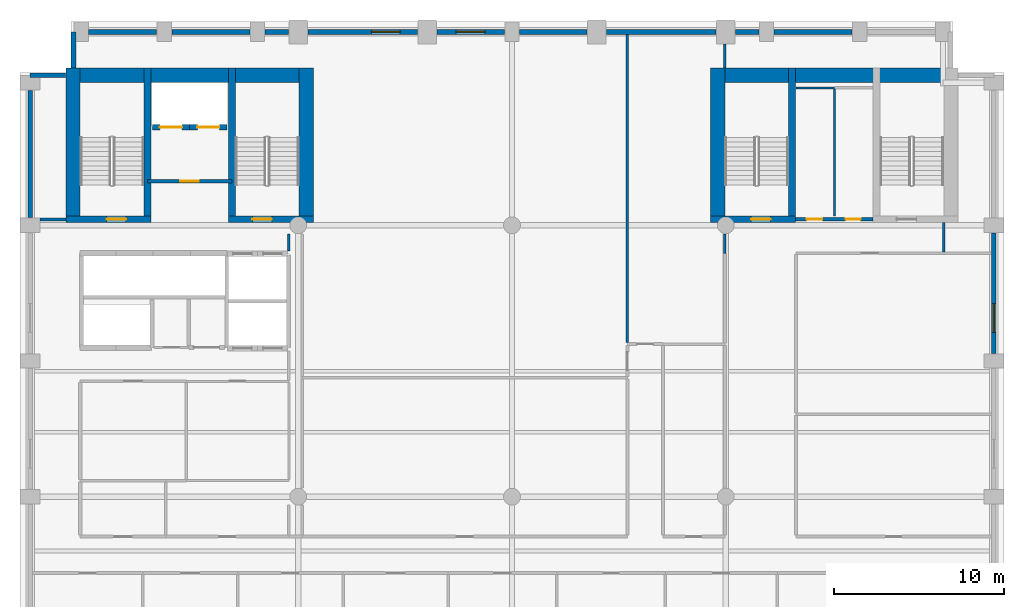
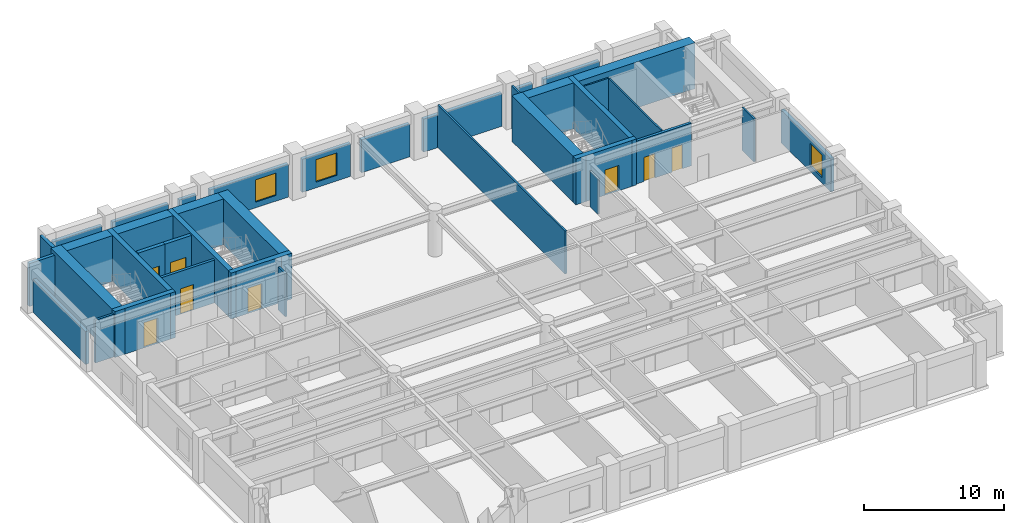
# One storey, part 5 of 8: 36 walls, 8 doors, 3 windows, 11 openings.
"""IFC4 building model written with IfcOpenShell, lengths in metres."""

from ifc_helpers import new_model, si_unit, direction, frame, frame_2d, origin, place, context, subcontext, project, spatial, rectangle, extrude, material, layer, layer_set, type_object, element, fill, save


model = new_model("IFC4")

# Units and contexts
model_context = context("Model", 3, precision=1e-05, world=origin(), true_north=direction((0.0, 1.0)))
body_context = subcontext(model_context, "Body", "Model", "MODEL_VIEW")
ifc_project = project(units=[si_unit("LENGTHUNIT", "METRE"), si_unit("AREAUNIT", "SQUARE_METRE"), si_unit("VOLUMEUNIT", "CUBIC_METRE"), si_unit("PLANEANGLEUNIT", "RADIAN"), si_unit("MASSUNIT", "GRAM", prefix="KILO")], contexts=[model_context])

# Site, building, storey
site_placement = place(None, origin())
site = spatial("IfcSite", under=ifc_project, at=site_placement, CompositionType="ELEMENT")
building_placement = place(site_placement, origin())
building = spatial("IfcBuilding", under=site, at=building_placement, Name="Sulina Concourse Tower", CompositionType="ELEMENT")
storey_placement = place(building_placement, frame((0.0, 0.0, 152.60009765625)))
storey = spatial("IfcBuildingStorey", under=building, at=storey_placement, Name="L37", CompositionType="ELEMENT", Elevation=152.60009765625)

# Wall, opening, door
ifc_material_1 = material(Name="Concrete C50/60", Category="concrete")
ifc_layer_1 = layer(ifc_material_1, 0.300048828125)
ifc_layer_set_1 = layer_set([ifc_layer_1], Name="Concrete C50/60")
wall_type_1 = type_object("IfcWallType", Name="Core Lift Hoistway Wall 300mm", PredefinedType="SOLIDWALL", material=ifc_layer_set_1)
wall_1_placement = place(storey_placement, frame((10.0, 39.780029296875, 0.0), z_axis=(0.0, 0.0, 1.0), x_axis=(-1.0, 0.0, 0.0)))
wall_1 = element("IfcWall", 1, at=wall_1_placement, inside=storey, type_object=wall_type_1, Name="L37 hoistway enclosure wall FFL-1", PredefinedType="SOLIDWALL", context=body_context, shape_type="SweptSolid", body=[
    extrude(rectangle(XDim=2.199951171875, YDim=0.300048828125, at=frame_2d((1.10009765625, 0.0))), origin(), (0.0, 0.0, 1.0), 4.0),
])
opening_1_placement = place(wall_1_placement, frame((0.449951171875, 0.0, 0.0)))
opening_1 = element("IfcOpeningElement", 2, at=opening_1_placement, cuts=wall_1, Name="Opening LD-02", PredefinedType="OPENING", context=body_context, shape_type="SweptSolid", body=[
    extrude(rectangle(XDim=1.300048828125, YDim=2.25, at=frame_2d((0.64990234375, 1.125))), frame((0.0, 0.159912109375, 0.0), z_axis=(0.0, -1.0, 0.0), x_axis=(1.0, 0.0, 0.0)), (0.0, 0.0, 1.0), 0.320068359375),
])
ifc_material_2 = material(Name="Stainless steel lift landing door", Category="steel")
ifc_layer_2 = layer(ifc_material_2, 0.050048828125)
ifc_layer_set_2 = layer_set([ifc_layer_2], Name="Stainless steel lift landing door")
door_type_1 = type_object("IfcDoorType", Name="Firefighting Lift Sliding Landing Door 1300x2250", OperationType="SLIDING_TO_RIGHT", PredefinedType="DOOR", material=ifc_layer_set_2)
door_1_placement = place(opening_1_placement, origin())
door_1 = element("IfcDoor", 3, at=door_1_placement, inside=storey, type_object=door_type_1, Name="L37 lift landing sliding door FFL-1", OperationType="SLIDING_TO_LEFT", OverallHeight=2.25, OverallWidth=1.300048828125, PredefinedType="DOOR", context=body_context, shape_type="SweptSolid", body=[
    extrude(rectangle(XDim=1.300048828125, YDim=2.25, at=frame_2d((0.64990234375, 1.125))), frame((0.0, 0.02490234375, 0.0), z_axis=(0.0, -1.0, 0.0), x_axis=(1.0, 0.0, 0.0)), (0.0, 0.0, 1.0), 0.050048828125),
])
fill(opening_1, door_1)

wall_2_placement = place(storey_placement, frame((12.199951171875, 39.780029296875, 0.0), z_axis=(0.0, 0.0, 1.0), x_axis=(-1.0, 0.0, 0.0)))
wall_2 = element("IfcWall", 4, at=wall_2_placement, inside=storey, type_object=wall_type_1, Name="L37 hoistway enclosure wall FFL-2", PredefinedType="SOLIDWALL", context=body_context, shape_type="SweptSolid", body=[
    extrude(rectangle(XDim=2.199951171875, YDim=0.300048828125, at=frame_2d((1.10009765625, 0.0))), origin(), (0.0, 0.0, 1.0), 4.0),
])
opening_2_placement = place(wall_2_placement, frame((0.449951171875, 0.0, 0.0)))
opening_2 = element("IfcOpeningElement", 5, at=opening_2_placement, cuts=wall_2, Name="Opening LD-02", PredefinedType="OPENING", context=body_context, shape_type="SweptSolid", body=[
    extrude(rectangle(XDim=1.300048828125, YDim=2.25, at=frame_2d((0.64990234375, 1.125))), frame((0.0, 0.159912109375, 0.0), z_axis=(0.0, -1.0, 0.0), x_axis=(1.0, 0.0, 0.0)), (0.0, 0.0, 1.0), 0.320068359375),
])
door_2_placement = place(opening_2_placement, origin())
door_2 = element("IfcDoor", 6, at=door_2_placement, inside=storey, type_object=door_type_1, Name="L37 lift landing sliding door FFL-2", OperationType="SLIDING_TO_RIGHT", OverallHeight=2.25, OverallWidth=1.300048828125, PredefinedType="DOOR", context=body_context, shape_type="SweptSolid", body=[
    extrude(rectangle(XDim=1.300048828125, YDim=2.25, at=frame_2d((0.64990234375, 1.125))), frame((0.0, 0.02490234375, 0.0), z_axis=(0.0, -1.0, 0.0), x_axis=(1.0, 0.0, 0.0)), (0.0, 0.0, 1.0), 0.050048828125),
])
fill(opening_2, door_2)

ifc_material_3 = material(Name="Gypsum board on steel stud", Category="steel")
ifc_layer_3 = layer(ifc_material_3, 0.219970703125)
ifc_layer_set_3 = layer_set([ifc_layer_3], Name="Gypsum board on steel stud")
wall_type_2 = type_object("IfcWallType", Name="Fire-Rated Lobby & Compartment Wall 220mm", PredefinedType="PARTITIONING", material=ifc_layer_set_3)
wall_3_placement = place(storey_placement, frame((7.510009765625, 36.60009765625, 0.0), z_axis=(0.0, 0.0, 1.0), x_axis=(1.0, 0.0, 0.0)))
wall_3 = element("IfcWall", 7, at=wall_3_placement, inside=storey, type_object=wall_type_2, Name="L37 firefighting lobby south fire wall", PredefinedType="PARTITIONING", context=body_context, shape_type="SweptSolid", body=[
    extrude(rectangle(XDim=4.97998046875, YDim=0.219970703125, at=frame_2d((2.489990234375, 0.0))), origin(), (0.0, 0.0, 1.0), 3.724853515625),
])
opening_3_placement = place(wall_3_placement, frame((1.93994140625, 0.0, 0.0)))
opening_3 = element("IfcOpeningElement", 8, at=opening_3_placement, cuts=wall_3, Name="Opening DR-47", PredefinedType="OPENING", context=body_context, shape_type="SweptSolid", body=[
    extrude(rectangle(XDim=1.10009765625, YDim=2.199951171875, at=frame_2d((0.550048828125, 1.10009765625))), frame((0.0, 0.119873046875, 0.0), z_axis=(0.0, -1.0, 0.0), x_axis=(1.0, 0.0, 0.0)), (0.0, 0.0, 1.0), 0.239990234375),
])
ifc_material_4 = material(Name="Galvanised steel acoustic fire leaf", Category="steel")
ifc_layer_4 = layer(ifc_material_4, 0.054931640625)
ifc_layer_set_4 = layer_set([ifc_layer_4], Name="Galvanised steel acoustic fire leaf")
door_type_2 = type_object("IfcDoorType", Name="Firefighting Lobby Fire Door 1100x2200", OperationType="NOTDEFINED", PredefinedType="DOOR", material=ifc_layer_set_4)
door_3_placement = place(opening_3_placement, origin())
door_3 = element("IfcDoor", 9, at=door_3_placement, inside=storey, type_object=door_type_2, Name="L37 firefighting lobby fire door", OperationType="SINGLE_SWING_RIGHT", OverallHeight=2.199951171875, OverallWidth=1.10009765625, PredefinedType="DOOR", context=body_context, shape_type="SweptSolid", body=[
    extrude(rectangle(XDim=1.10009765625, YDim=2.199951171875, at=frame_2d((0.550048828125, 1.10009765625))), frame((0.0, 0.02490234375, 0.0), z_axis=(0.0, -1.0, 0.0), x_axis=(1.0, 0.0, 0.0)), (0.0, 0.0, 1.0), 0.050048828125),
])
fill(opening_3, door_3)

# Wall, openings, doors
wall_4_placement = place(storey_placement, frame((45.719970703125, 34.35009765625, 0.0), z_axis=(0.0, 0.0, 1.0), x_axis=(1.0, 0.0, 0.0)))
wall_4 = element("IfcWall", 10, at=wall_4_placement, inside=storey, type_object=wall_type_2, Name="L37 east core south lobby wall", PredefinedType="PARTITIONING", context=body_context, shape_type="SweptSolid", body=[
    extrude(rectangle(XDim=4.56005859375, YDim=0.219970703125, at=frame_2d((2.280029296875, 0.0))), origin(), (0.0, 0.0, 1.0), 3.724853515625),
])
opening_4_placement = place(wall_4_placement, frame((0.64990234375, 0.0, 0.0)))
opening_4 = element("IfcOpeningElement", 11, at=opening_4_placement, cuts=wall_4, Name="Opening DR-61", PredefinedType="OPENING", context=body_context, shape_type="SweptSolid", body=[
    extrude(rectangle(XDim=0.919921875, YDim=2.10009765625, at=frame_2d((0.4599609375, 1.050048828125))), frame((0.0, 0.119873046875, 0.0), z_axis=(0.0, -1.0, 0.0), x_axis=(1.0, 0.0, 0.0)), (0.0, 0.0, 1.0), 0.239990234375),
])
opening_5_placement = place(wall_4_placement, frame((2.949951171875, 0.0, 0.0)))
opening_5 = element("IfcOpeningElement", 12, at=opening_5_placement, cuts=wall_4, Name="Opening DR-38", PredefinedType="OPENING", context=body_context, shape_type="SweptSolid", body=[
    extrude(rectangle(XDim=0.8798828125, YDim=2.10009765625, at=frame_2d((0.43994140625, 1.050048828125))), frame((0.0, 0.119873046875, 0.0), z_axis=(0.0, -1.0, 0.0), x_axis=(1.0, 0.0, 0.0)), (0.0, 0.0, 1.0), 0.239990234375),
])
ifc_material_5 = material(Name="Oak-veneered fire door leaf")
ifc_layer_5 = layer(ifc_material_5, 0.050048828125)
ifc_layer_set_5 = layer_set([ifc_layer_5], Name="Oak-veneered fire door leaf")
door_type_3 = type_object("IfcDoorType", Name="Accessible WC Door 920x2100", OperationType="NOTDEFINED", PredefinedType="DOOR", material=ifc_layer_set_5)
door_4_placement = place(opening_4_placement, origin())
door_4 = element("IfcDoor", 13, at=door_4_placement, inside=storey, type_object=door_type_3, Name="L37 east core accessible wc door", OperationType="SINGLE_SWING_RIGHT", OverallHeight=2.10009765625, OverallWidth=0.919921875, PredefinedType="DOOR", context=body_context, shape_type="SweptSolid", body=[
    extrude(rectangle(XDim=0.919921875, YDim=2.10009765625, at=frame_2d((0.4599609375, 1.050048828125))), frame((0.0, 0.02490234375, 0.0), z_axis=(0.0, -1.0, 0.0), x_axis=(1.0, 0.0, 0.0)), (0.0, 0.0, 1.0), 0.050048828125),
])
fill(opening_4, door_4)
ifc_material_6 = material(Name="Galvanised steel acoustic fire leaf", Category="steel")
ifc_layer_6 = layer(ifc_material_6, 0.050048828125)
ifc_layer_set_6 = layer_set([ifc_layer_6], Name="Galvanised steel acoustic fire leaf")
door_type_4 = type_object("IfcDoorType", Name="Service Riser Fire Door 880x2100", OperationType="NOTDEFINED", PredefinedType="DOOR", material=ifc_layer_set_6)
door_5_placement = place(opening_5_placement, origin())
door_5 = element("IfcDoor", 14, at=door_5_placement, inside=storey, type_object=door_type_4, Name="L37 east core store door", OperationType="SINGLE_SWING_LEFT", OverallHeight=2.10009765625, OverallWidth=0.8798828125, PredefinedType="DOOR", context=body_context, shape_type="SweptSolid", body=[
    extrude(rectangle(XDim=0.8798828125, YDim=2.10009765625, at=frame_2d((0.43994140625, 1.050048828125))), frame((0.0, 0.02490234375, 0.0), z_axis=(0.0, -1.0, 0.0), x_axis=(1.0, 0.0, 0.0)), (0.0, 0.0, 1.0), 0.050048828125),
])
fill(opening_5, door_5)

# Walls
ifc_material_7 = material(Name="Gypsum board on steel stud", Category="steel")
ifc_layer_7 = layer(ifc_material_7, 0.14990234375)
ifc_layer_set_7 = layer_set([ifc_layer_7], Name="Gypsum board on steel stud")
wall_type_3 = type_object("IfcWallType", Name="Inter-Tenancy Acoustic Partition 150mm", PredefinedType="PARTITIONING", material=ifc_layer_set_7)
wall_5_placement = place(storey_placement, frame((15.85009765625, 32.469970703125, 0.0), z_axis=(0.0, 0.0, 1.0), x_axis=(0.0, 1.0, 0.0)))
element("IfcWall", 15, at=wall_5_placement, inside=storey, type_object=wall_type_3, Name="L37 interior partition 042", PredefinedType="PARTITIONING", context=body_context, shape_type="SweptSolid", body=[
    extrude(rectangle(XDim=1.030029296875, YDim=0.14990234375, at=frame_2d((0.51513671875, 0.0))), origin(), (0.0, 0.0, 1.0), 3.724853515625),
])
wall_6_placement = place(storey_placement, frame((35.800048828125, 27.090087890625, 0.0), z_axis=(0.0, 0.0, 1.0), x_axis=(0.0, 1.0, 0.0)))
element("IfcWall", 16, at=wall_6_placement, inside=storey, type_object=wall_type_3, Name="L37 interior partition 051", PredefinedType="PARTITIONING", context=body_context, shape_type="SweptSolid", body=[
    extrude(rectangle(XDim=18.169921875, YDim=0.14990234375, at=frame_2d((9.0849609375, 0.0))), origin(), (0.0, 0.0, 1.0), 3.724853515625),
])
wall_7_placement = place(storey_placement, frame((41.550048828125, 32.35009765625, 0.0), z_axis=(0.0, 0.0, 1.0), x_axis=(0.0, 1.0, 0.0)))
element("IfcWall", 17, at=wall_7_placement, inside=storey, type_object=wall_type_3, Name="L37 interior partition 057", PredefinedType="PARTITIONING", context=body_context, shape_type="SweptSolid", body=[
    extrude(rectangle(XDim=1.14990234375, YDim=0.14990234375, at=frame_2d((0.574951171875, 0.0))), origin(), (0.0, 0.0, 1.0), 3.06982421875),
])
wall_8_placement = place(storey_placement, frame((41.550048828125, 43.280029296875, 0.0), z_axis=(0.0, 0.0, 1.0), x_axis=(0.0, 1.0, 0.0)))
element("IfcWall", 18, at=wall_8_placement, inside=storey, type_object=wall_type_3, Name="L37 interior partition 058", PredefinedType="PARTITIONING", context=body_context, shape_type="SweptSolid", body=[
    extrude(rectangle(XDim=1.419921875, YDim=0.14990234375, at=frame_2d((0.7099609375, 0.0))), origin(), (0.0, 0.0, 1.0), 3.724853515625),
])
wall_9_placement = place(storey_placement, frame((54.449951171875, 32.425048828125, 0.0), z_axis=(0.0, 0.0, 1.0), x_axis=(0.0, 1.0, 0.0)))
element("IfcWall", 19, at=wall_9_placement, inside=storey, type_object=wall_type_3, Name="L37 interior partition 064", PredefinedType="PARTITIONING", context=body_context, shape_type="SweptSolid", body=[
    extrude(rectangle(XDim=1.724853515625, YDim=0.14990234375, at=frame_2d((0.8623046875, 0.0))), origin(), (0.0, 0.0, 1.0), 3.724853515625),
])
ifc_material_8 = material(Name="Gypsum board on steel stud", Category="steel")
ifc_layer_8 = layer(ifc_material_8, 0.179931640625)
ifc_layer_set_8 = layer_set([ifc_layer_8], Name="Gypsum board on steel stud")
wall_type_4 = type_object("IfcWallType", Name="Protected Corridor & Riser Partition 180mm", PredefinedType="PARTITIONING", material=ifc_layer_set_8)
wall_10_placement = place(storey_placement, frame((1.175048828125, 34.35009765625, 0.0), z_axis=(0.0, 0.0, 1.0), x_axis=(1.0, 0.0, 0.0)))
element("IfcWall", 20, at=wall_10_placement, inside=storey, type_object=wall_type_4, Name="L37 interior partition 029", PredefinedType="PARTITIONING", context=body_context, shape_type="SweptSolid", body=[
    extrude(rectangle(XDim=1.52490234375, YDim=0.179931640625, at=frame_2d((0.762451171875, 0.0))), origin(), (0.0, 0.0, 1.0), 3.724853515625),
])

# Wall, opening, door
ifc_material_9 = material(Name="Concrete C60/75", Category="concrete")
ifc_layer_9 = layer(ifc_material_9, 0.39990234375)
ifc_layer_set_9 = layer_set([ifc_layer_9], Name="Concrete C60/75")
wall_type_5 = type_object("IfcWallType", Name="Protected Stair Core Shear Wall 400mm", PredefinedType="SHEAR", material=ifc_layer_set_9)
wall_11_placement = place(storey_placement, frame((2.699951171875, 34.35009765625, 0.0), z_axis=(0.0, 0.0, 1.0), x_axis=(1.0, 0.0, 0.0)))
wall_11 = element("IfcWall", 21, at=wall_11_placement, inside=storey, type_object=wall_type_5, Name="L37 west core shear wall CW-WS1", PredefinedType="SHEAR", context=body_context, shape_type="SweptSolid", body=[
    extrude(rectangle(XDim=5.010009765625, YDim=0.39990234375, at=frame_2d((2.5048828125, 0.0))), origin(), (0.0, 0.0, 1.0), 4.0),
])
opening_6_placement = place(wall_11_placement, frame((2.39990234375, 0.0, 0.0)))
opening_6 = element("IfcOpeningElement", 22, at=opening_6_placement, cuts=wall_11, Name="Opening DR-60", PredefinedType="OPENING", context=body_context, shape_type="SweptSolid", body=[
    extrude(rectangle(XDim=1.14990234375, YDim=2.199951171875, at=frame_2d((0.574951171875, 1.10009765625))), frame((0.0, 0.2099609375, 0.0), z_axis=(0.0, -1.0, 0.0), x_axis=(1.0, 0.0, 0.0)), (0.0, 0.0, 1.0), 0.419921875),
])
ifc_material_10 = material(Name="Galvanised steel acoustic fire leaf", Category="steel")
ifc_layer_10 = layer(ifc_material_10, 0.054931640625)
ifc_layer_set_10 = layer_set([ifc_layer_10], Name="Galvanised steel acoustic fire leaf")
door_type_5 = type_object("IfcDoorType", Name="Protected Exit Stair Fire Door 1150x2200", OperationType="NOTDEFINED", PredefinedType="DOOR", material=ifc_layer_set_10)
door_6_placement = place(opening_6_placement, origin())
door_6 = element("IfcDoor", 23, at=door_6_placement, inside=storey, type_object=door_type_5, Name="L37 stair ST-1 lobby fire door", OperationType="SINGLE_SWING_RIGHT", OverallHeight=2.199951171875, OverallWidth=1.14990234375, PredefinedType="DOOR", context=body_context, shape_type="SweptSolid", body=[
    extrude(rectangle(XDim=1.14990234375, YDim=2.199951171875, at=frame_2d((0.574951171875, 1.10009765625))), frame((0.0, 0.02490234375, 0.0), z_axis=(0.0, -1.0, 0.0), x_axis=(1.0, 0.0, 0.0)), (0.0, 0.0, 1.0), 0.050048828125),
])
fill(opening_6, door_6)

wall_12_placement = place(storey_placement, frame((12.2900390625, 34.35009765625, 0.0), z_axis=(0.0, 0.0, 1.0), x_axis=(1.0, 0.0, 0.0)))
wall_12 = element("IfcWall", 24, at=wall_12_placement, inside=storey, type_object=wall_type_5, Name="L37 west core shear wall CW-WS2", PredefinedType="SHEAR", context=body_context, shape_type="SweptSolid", body=[
    extrude(rectangle(XDim=5.010009765625, YDim=0.39990234375, at=frame_2d((2.5048828125, 0.0))), origin(), (0.0, 0.0, 1.0), 4.0),
])
opening_7_placement = place(wall_12_placement, frame((1.39990234375, 0.0, 0.0)))
opening_7 = element("IfcOpeningElement", 25, at=opening_7_placement, cuts=wall_12, Name="Opening DR-60", PredefinedType="OPENING", context=body_context, shape_type="SweptSolid", body=[
    extrude(rectangle(XDim=1.14990234375, YDim=2.199951171875, at=frame_2d((0.574951171875, 1.10009765625))), frame((0.0, 0.2099609375, 0.0), z_axis=(0.0, -1.0, 0.0), x_axis=(1.0, 0.0, 0.0)), (0.0, 0.0, 1.0), 0.419921875),
])
door_7_placement = place(opening_7_placement, origin())
door_7 = element("IfcDoor", 26, at=door_7_placement, inside=storey, type_object=door_type_5, Name="L37 stair ST-2 lobby fire door", OperationType="SINGLE_SWING_LEFT", OverallHeight=2.199951171875, OverallWidth=1.14990234375, PredefinedType="DOOR", context=body_context, shape_type="SweptSolid", body=[
    extrude(rectangle(XDim=1.14990234375, YDim=2.199951171875, at=frame_2d((0.574951171875, 1.10009765625))), frame((0.0, 0.02490234375, 0.0), z_axis=(0.0, -1.0, 0.0), x_axis=(1.0, 0.0, 0.0)), (0.0, 0.0, 1.0), 0.050048828125),
])
fill(opening_7, door_7)

# Walls
for number, where, z_axis, x_axis, name in (
    (27, (7.510009765625, 34.14990234375, 0.0), (0.0, 0.0, 1.0), (0.0, 1.0, 0.0), "L37 west core shear wall SW-ST1"),
    (28, (12.489990234375, 34.14990234375, 0.0), (0.0, 0.0, 1.0), (0.0, 1.0, 0.0), "L37 west core shear wall SW-ST2"),
):
    element("IfcWall", number, at=place(storey_placement, frame(where, z_axis=z_axis, x_axis=x_axis)), inside=storey, type_object=wall_type_5, Name=name, PredefinedType="SHEAR", context=body_context, shape_type="SweptSolid", body=[
        extrude(rectangle(XDim=9.130126953125, YDim=0.39990234375, at=frame_2d((4.56494140625, 0.0))), origin(), (0.0, 0.0, 1.0), 4.0),
    ])

# Wall, opening, door
wall_13_placement = place(storey_placement, frame((40.699951171875, 34.35009765625, 0.0), z_axis=(0.0, 0.0, 1.0), x_axis=(1.0, 0.0, 0.0)))
wall_13 = element("IfcWall", 29, at=wall_13_placement, inside=storey, type_object=wall_type_5, Name="L37 east core shear wall CW-ES1", PredefinedType="SHEAR", context=body_context, shape_type="SweptSolid", body=[
    extrude(rectangle(XDim=5.010009765625, YDim=0.39990234375, at=frame_2d((2.5048828125, 0.0))), origin(), (0.0, 0.0, 1.0), 4.0),
])
opening_8_placement = place(wall_13_placement, frame((2.39990234375, 0.0, 0.0)))
opening_8 = element("IfcOpeningElement", 30, at=opening_8_placement, cuts=wall_13, Name="Opening DR-60", PredefinedType="OPENING", context=body_context, shape_type="SweptSolid", body=[
    extrude(rectangle(XDim=1.14990234375, YDim=2.199951171875, at=frame_2d((0.574951171875, 1.10009765625))), frame((0.0, 0.2099609375, 0.0), z_axis=(0.0, -1.0, 0.0), x_axis=(1.0, 0.0, 0.0)), (0.0, 0.0, 1.0), 0.419921875),
])
door_8_placement = place(opening_8_placement, origin())
door_8 = element("IfcDoor", 31, at=door_8_placement, inside=storey, type_object=door_type_5, Name="L37 stair ST-3 south lobby fire door", OperationType="SINGLE_SWING_LEFT", OverallHeight=2.199951171875, OverallWidth=1.14990234375, PredefinedType="DOOR", context=body_context, shape_type="SweptSolid", body=[
    extrude(rectangle(XDim=1.14990234375, YDim=2.199951171875, at=frame_2d((0.574951171875, 1.10009765625))), frame((0.0, 0.02490234375, 0.0), z_axis=(0.0, -1.0, 0.0), x_axis=(1.0, 0.0, 0.0)), (0.0, 0.0, 1.0), 0.050048828125),
])
fill(opening_8, door_8)

# Walls
wall_14_placement = place(storey_placement, frame((45.510009765625, 34.14990234375, 0.0), z_axis=(0.0, 0.0, 1.0), x_axis=(0.0, 1.0, 0.0)))
element("IfcWall", 32, at=wall_14_placement, inside=storey, type_object=wall_type_5, Name="L37 east core shear wall SW-ST3", PredefinedType="SHEAR", context=body_context, shape_type="SweptSolid", body=[
    extrude(rectangle(XDim=9.130126953125, YDim=0.39990234375, at=frame_2d((4.56494140625, 0.0))), origin(), (0.0, 0.0, 1.0), 4.0),
])
ifc_material_11 = material(Name="Concrete C60/75", Category="concrete")
ifc_layer_11 = layer(ifc_material_11, 0.85009765625)
ifc_layer_set_11 = layer_set([ifc_layer_11], Name="Concrete C60/75")
wall_type_6 = type_object("IfcWallType", Name="Rear Core Shear Wall 850mm", PredefinedType="SHEAR", material=ifc_layer_set_11)
wall_15_placement = place(storey_placement, frame((2.699951171875, 42.85498046875, 0.0), z_axis=(0.0, 0.0, 1.0), x_axis=(1.0, 0.0, 0.0)))
element("IfcWall", 33, at=wall_15_placement, inside=storey, type_object=wall_type_6, Name="L37 west core shear wall CW-WN", PredefinedType="SHEAR", context=body_context, shape_type="SweptSolid", body=[
    extrude(rectangle(XDim=14.60009765625, YDim=0.85009765625, at=frame_2d((7.300048828125, 0.0))), origin(), (0.0, 0.0, 1.0), 4.0),
])
for number, where, z_axis, x_axis, name in (
    (34, (3.125, 34.14990234375, 0.0), (0.0, 0.0, 1.0), (0.0, 1.0, 0.0), "L37 west core shear wall CW-WW"),
    (35, (16.875, 34.14990234375, 0.0), (0.0, 0.0, 1.0), (0.0, 1.0, 0.0), "L37 west core shear wall CW-WE"),
):
    element("IfcWall", number, at=place(storey_placement, frame(where, z_axis=z_axis, x_axis=x_axis)), inside=storey, type_object=wall_type_6, Name=name, PredefinedType="SHEAR", context=body_context, shape_type="SweptSolid", body=[
        extrude(rectangle(XDim=9.130126953125, YDim=0.85009765625, at=frame_2d((4.56494140625, 0.0))), origin(), (0.0, 0.0, 1.0), 4.0),
    ])
wall_16_placement = place(storey_placement, frame((40.699951171875, 42.85498046875, 0.0), z_axis=(0.0, 0.0, 1.0), x_axis=(1.0, 0.0, 0.0)))
element("IfcWall", 36, at=wall_16_placement, inside=storey, type_object=wall_type_6, Name="L37 east core shear wall CW-EN", PredefinedType="SHEAR", context=body_context, shape_type="SweptSolid", body=[
    extrude(rectangle(XDim=14.60009765625, YDim=0.85009765625, at=frame_2d((7.300048828125, 0.0))), origin(), (0.0, 0.0, 1.0), 4.0),
])
wall_17_placement = place(storey_placement, frame((41.125, 34.14990234375, 0.0), z_axis=(0.0, 0.0, 1.0), x_axis=(0.0, 1.0, 0.0)))
element("IfcWall", 37, at=wall_17_placement, inside=storey, type_object=wall_type_6, Name="L37 east core shear wall CW-EW", PredefinedType="SHEAR", context=body_context, shape_type="SweptSolid", body=[
    extrude(rectangle(XDim=9.130126953125, YDim=0.85009765625, at=frame_2d((4.56494140625, 0.0))), origin(), (0.0, 0.0, 1.0), 4.0),
])
ifc_material_12 = material(Name="Precast concrete C50/60", Category="concrete")
ifc_layer_12 = layer(ifc_material_12, 0.280029296875)
ifc_layer_set_12 = layer_set([ifc_layer_12], Name="Precast concrete C50/60")
wall_type_7 = type_object("IfcWallType", Name="Typical Precast Masonry-Frame Facade Wall 280mm", PredefinedType="SOLIDWALL", material=ifc_layer_set_12)
wall_18_placement = place(storey_placement, frame((0.60009765625, 34.445068359375, 0.0), z_axis=(0.0, 0.0, 1.0), x_axis=(0.0, 1.0, 0.0)))
element("IfcWall", 38, at=wall_18_placement, inside=storey, type_object=wall_type_7, Name="L37 exterior precast wall W5", PredefinedType="SOLIDWALL", context=body_context, shape_type="SweptSolid", body=[
    extrude(rectangle(XDim=7.510009765625, YDim=0.280029296875, at=frame_2d((3.7548828125, 0.0))), origin(), (0.0, 0.0, 1.0), 2.875),
])
wall_19_placement = place(storey_placement, frame((4.044921875, 45.39990234375, 0.0), z_axis=(0.0, 0.0, 1.0), x_axis=(1.0, 0.0, 0.0)))
element("IfcWall", 39, at=wall_19_placement, inside=storey, type_object=wall_type_7, Name="L37 exterior precast wall N1", PredefinedType="SOLIDWALL", context=body_context, shape_type="SweptSolid", body=[
    extrude(rectangle(XDim=4.010009765625, YDim=0.280029296875, at=frame_2d((2.0048828125, 0.0))), origin(), (0.0, 0.0, 1.0), 2.875),
])
wall_20_placement = place(storey_placement, frame((8.945068359375, 45.39990234375, 0.0), z_axis=(0.0, 0.0, 1.0), x_axis=(1.0, 0.0, 0.0)))
element("IfcWall", 40, at=wall_20_placement, inside=storey, type_object=wall_type_7, Name="L37 exterior precast wall N2", PredefinedType="SOLIDWALL", context=body_context, shape_type="SweptSolid", body=[
    extrude(rectangle(XDim=4.60986328125, YDim=0.280029296875, at=frame_2d((2.304931640625, 0.0))), origin(), (0.0, 0.0, 1.0), 2.875),
])
wall_21_placement = place(storey_placement, frame((14.445068359375, 45.39990234375, 0.0), z_axis=(0.0, 0.0, 1.0), x_axis=(1.0, 0.0, 0.0)))
element("IfcWall", 41, at=wall_21_placement, inside=storey, type_object=wall_type_7, Name="L37 exterior precast wall N3", PredefinedType="SOLIDWALL", context=body_context, shape_type="SweptSolid", body=[
    extrude(rectangle(XDim=1.385009765625, YDim=0.280029296875, at=frame_2d((0.6923828125, 0.0))), origin(), (0.0, 0.0, 1.0), 2.875),
])

# Wall, opening, window
wall_22_placement = place(storey_placement, frame((16.969970703125, 45.39990234375, 0.0), z_axis=(0.0, 0.0, 1.0), x_axis=(1.0, 0.0, 0.0)))
wall_22 = element("IfcWall", 42, at=wall_22_placement, inside=storey, type_object=wall_type_7, Name="L37 exterior precast wall N4", PredefinedType="SOLIDWALL", context=body_context, shape_type="SweptSolid", body=[
    extrude(rectangle(XDim=6.4599609375, YDim=0.280029296875, at=frame_2d((3.22998046875, 0.0))), origin(), (0.0, 0.0, 1.0), 2.875),
])
opening_9_placement = place(wall_22_placement, frame((3.739990234375, 0.0, 0.5)))
opening_9 = element("IfcOpeningElement", 43, at=opening_9_placement, cuts=wall_22, Name="Opening WN-66", PredefinedType="OPENING", context=body_context, shape_type="SweptSolid", body=[
    extrude(rectangle(XDim=1.699951171875, YDim=1.949951171875, at=frame_2d((0.85009765625, 0.97509765625))), frame((0.0, 0.14990234375, 0.0), z_axis=(0.0, -1.0, 0.0), x_axis=(1.0, 0.0, 0.0)), (0.0, 0.0, 1.0), 0.300048828125),
])
ifc_material_13 = material(Name="Low-E solar double glazing in bronze aluminium", Category="aluminium")
window_type = type_object("IfcWindowType", Name="Recessed Spandrel Window 1700x1950", PartitioningType="SINGLE_PANEL", PredefinedType="WINDOW", material=ifc_material_13)
window_1_placement = place(opening_9_placement, origin())
window_1 = element("IfcWindow", 44, at=window_1_placement, inside=storey, type_object=window_type, Name="L37 punched window N4-1", OverallHeight=1.949951171875, OverallWidth=1.699951171875, PartitioningType="SINGLE_PANEL", PredefinedType="WINDOW", context=body_context, shape_type="SweptSolid", body=[
    extrude(rectangle(XDim=1.699951171875, YDim=1.949951171875, at=frame_2d((0.85009765625, 0.97509765625))), frame((0.0, 0.030029296875, 0.0), z_axis=(0.0, -1.0, 0.0), x_axis=(1.0, 0.0, 0.0)), (0.0, 0.0, 1.0), 0.06005859375),
])
fill(opening_9, window_1)

wall_23_placement = place(storey_placement, frame((24.570068359375, 45.39990234375, 0.0), z_axis=(0.0, 0.0, 1.0), x_axis=(1.0, 0.0, 0.0)))
wall_23 = element("IfcWall", 45, at=wall_23_placement, inside=storey, type_object=wall_type_7, Name="L37 exterior precast wall N5", PredefinedType="SOLIDWALL", context=body_context, shape_type="SweptSolid", body=[
    extrude(rectangle(XDim=3.98486328125, YDim=0.280029296875, at=frame_2d((1.992431640625, 0.0))), origin(), (0.0, 0.0, 1.0), 2.875),
])
opening_10_placement = place(wall_23_placement, frame((1.142578125, 0.0, 0.5)))
opening_10 = element("IfcOpeningElement", 46, at=opening_10_placement, cuts=wall_23, Name="Opening WN-66", PredefinedType="OPENING", context=body_context, shape_type="SweptSolid", body=[
    extrude(rectangle(XDim=1.699951171875, YDim=1.949951171875, at=frame_2d((0.85009765625, 0.97509765625))), frame((0.0, 0.14990234375, 0.0), z_axis=(0.0, -1.0, 0.0), x_axis=(1.0, 0.0, 0.0)), (0.0, 0.0, 1.0), 0.300048828125),
])
window_2_placement = place(opening_10_placement, origin())
window_2 = element("IfcWindow", 47, at=window_2_placement, inside=storey, type_object=window_type, Name="L37 punched window N5-1", OverallHeight=1.949951171875, OverallWidth=1.699951171875, PartitioningType="SINGLE_PANEL", PredefinedType="WINDOW", context=body_context, shape_type="SweptSolid", body=[
    extrude(rectangle(XDim=1.699951171875, YDim=1.949951171875, at=frame_2d((0.85009765625, 0.97509765625))), frame((0.0, 0.030029296875, 0.0), z_axis=(0.0, -1.0, 0.0), x_axis=(1.0, 0.0, 0.0)), (0.0, 0.0, 1.0), 0.06005859375),
])
fill(opening_10, window_2)

# Walls
wall_24_placement = place(storey_placement, frame((29.445068359375, 45.39990234375, 0.0), z_axis=(0.0, 0.0, 1.0), x_axis=(1.0, 0.0, 0.0)))
element("IfcWall", 48, at=wall_24_placement, inside=storey, type_object=wall_type_7, Name="L37 exterior precast wall N6", PredefinedType="SOLIDWALL", context=body_context, shape_type="SweptSolid", body=[
    extrude(rectangle(XDim=3.98486328125, YDim=0.280029296875, at=frame_2d((1.992431640625, 0.0))), origin(), (0.0, 0.0, 1.0), 2.875),
])
wall_25_placement = place(storey_placement, frame((34.570068359375, 45.39990234375, 0.0), z_axis=(0.0, 0.0, 1.0), x_axis=(1.0, 0.0, 0.0)))
element("IfcWall", 49, at=wall_25_placement, inside=storey, type_object=wall_type_7, Name="L37 exterior precast wall N7", PredefinedType="SOLIDWALL", context=body_context, shape_type="SweptSolid", body=[
    extrude(rectangle(XDim=6.4599609375, YDim=0.280029296875, at=frame_2d((3.22998046875, 0.0))), origin(), (0.0, 0.0, 1.0), 2.875),
])
wall_26_placement = place(storey_placement, frame((42.169921875, 45.39990234375, 0.0), z_axis=(0.0, 0.0, 1.0), x_axis=(1.0, 0.0, 0.0)))
element("IfcWall", 50, at=wall_26_placement, inside=storey, type_object=wall_type_7, Name="L37 exterior precast wall N8", PredefinedType="SOLIDWALL", context=body_context, shape_type="SweptSolid", body=[
    extrude(rectangle(XDim=1.385009765625, YDim=0.280029296875, at=frame_2d((0.6923828125, 0.0))), origin(), (0.0, 0.0, 1.0), 2.875),
])
wall_27_placement = place(storey_placement, frame((44.445068359375, 45.39990234375, 0.0), z_axis=(0.0, 0.0, 1.0), x_axis=(1.0, 0.0, 0.0)))
element("IfcWall", 51, at=wall_27_placement, inside=storey, type_object=wall_type_7, Name="L37 exterior precast wall N9", PredefinedType="SOLIDWALL", context=body_context, shape_type="SweptSolid", body=[
    extrude(rectangle(XDim=4.60986328125, YDim=0.280029296875, at=frame_2d((2.304931640625, 0.0))), origin(), (0.0, 0.0, 1.0), 2.875),
])

# Wall, opening, window
wall_28_placement = place(storey_placement, frame((57.39990234375, 33.554931640625, 0.0), z_axis=(0.0, 0.0, 1.0), x_axis=(0.0, -1.0, 0.0)))
wall_28 = element("IfcWall", 52, at=wall_28_placement, inside=storey, type_object=wall_type_7, Name="L37 exterior precast wall E4", PredefinedType="SOLIDWALL", context=body_context, shape_type="SweptSolid", body=[
    extrude(rectangle(XDim=7.10986328125, YDim=0.280029296875, at=frame_2d((3.554931640625, 0.0))), origin(), (0.0, 0.0, 1.0), 2.875),
])
opening_11_placement = place(wall_28_placement, frame((4.17333984375, 0.0, 0.5)))
opening_11 = element("IfcOpeningElement", 53, at=opening_11_placement, cuts=wall_28, Name="Opening WN-66", PredefinedType="OPENING", context=body_context, shape_type="SweptSolid", body=[
    extrude(rectangle(XDim=1.699951171875, YDim=1.949951171875, at=frame_2d((0.85009765625, 0.97509765625))), frame((0.0, 0.14990234375, 0.0), z_axis=(0.0, -1.0, 0.0), x_axis=(1.0, 0.0, 0.0)), (0.0, 0.0, 1.0), 0.300048828125),
])
window_3_placement = place(opening_11_placement, origin())
window_3 = element("IfcWindow", 54, at=window_3_placement, inside=storey, type_object=window_type, Name="L37 punched window E4-1", OverallHeight=1.949951171875, OverallWidth=1.699951171875, PartitioningType="SINGLE_PANEL", PredefinedType="WINDOW", context=body_context, shape_type="SweptSolid", body=[
    extrude(rectangle(XDim=1.699951171875, YDim=1.949951171875, at=frame_2d((0.85009765625, 0.97509765625))), frame((0.0, 0.030029296875, 0.0), z_axis=(0.0, -1.0, 0.0), x_axis=(1.0, 0.0, 0.0)), (0.0, 0.0, 1.0), 0.06005859375),
])
fill(opening_11, window_3)

# Walls
wall_29_placement = place(storey_placement, frame((0.60009765625, 42.844970703125, 0.0), z_axis=(0.0, 0.0, 1.0), x_axis=(1.0, 0.0, 0.0)))
element("IfcWall", 55, at=wall_29_placement, inside=storey, type_object=wall_type_7, Name="L37 exterior precast wall CNW1", PredefinedType="SOLIDWALL", context=body_context, shape_type="SweptSolid", body=[
    extrude(rectangle(XDim=2.094970703125, YDim=0.280029296875, at=frame_2d((1.04736328125, 0.0))), origin(), (0.0, 0.0, 1.0), 3.724853515625),
])
wall_30_placement = place(storey_placement, frame((3.155029296875, 43.284912109375, 0.0), z_axis=(0.0, 0.0, 1.0), x_axis=(0.0, 1.0, 0.0)))
element("IfcWall", 56, at=wall_30_placement, inside=storey, type_object=wall_type_7, Name="L37 exterior precast wall CNW2", PredefinedType="SOLIDWALL", context=body_context, shape_type="SweptSolid", body=[
    extrude(rectangle(XDim=2.114990234375, YDim=0.280029296875, at=frame_2d((1.0576171875, 0.0))), origin(), (0.0, 0.0, 1.0), 3.724853515625),
])
ifc_material_14 = material(Name="Gypsum board on steel stud", Category="steel")
ifc_layer_13 = layer(ifc_material_14, 0.125)
ifc_layer_set_13 = layer_set([ifc_layer_13], Name="Gypsum board on steel stud")
wall_type_8 = type_object("IfcWallType", Name="Wet-Area Moisture-Resistant Partition 125mm", PredefinedType="PARTITIONING", material=ifc_layer_set_13)
wall_31_placement = place(storey_placement, frame((45.75, 42.10009765625, 0.0), z_axis=(0.0, 0.0, 1.0), x_axis=(1.0, 0.0, 0.0)))
element("IfcWall", 57, at=wall_31_placement, inside=storey, type_object=wall_type_8, Name="L37 interior partition 030", PredefinedType="PARTITIONING", context=body_context, shape_type="SweptSolid", body=[
    extrude(rectangle(XDim=2.25, YDim=0.125, at=frame_2d((1.125, 0.0))), origin(), (0.0, 0.0, 1.0), 3.724853515625),
])
wall_32_placement = place(storey_placement, frame((48.0, 34.550048828125, 0.0), z_axis=(0.0, 0.0, 1.0), x_axis=(0.0, 1.0, 0.0)))
element("IfcWall", 58, at=wall_32_placement, inside=storey, type_object=wall_type_8, Name="L37 interior partition 062", PredefinedType="PARTITIONING", context=body_context, shape_type="SweptSolid", body=[
    extrude(rectangle(XDim=7.474853515625, YDim=0.125, at=frame_2d((3.7373046875, 0.0))), origin(), (0.0, 0.0, 1.0), 3.724853515625),
])

save(model, "model.ifc")
